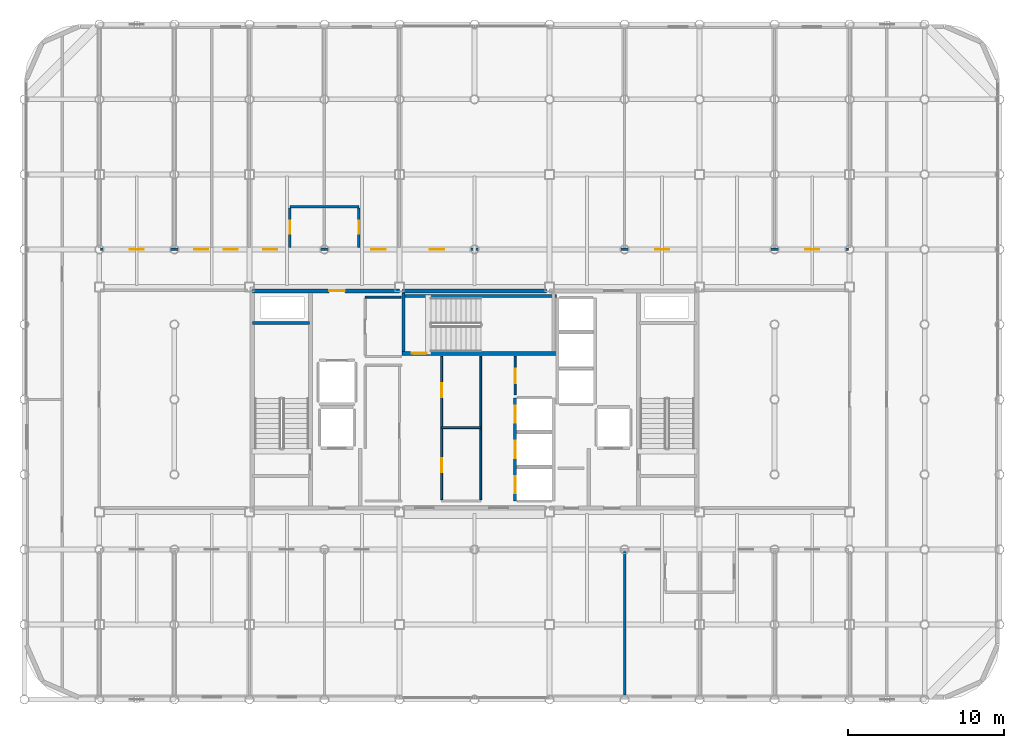
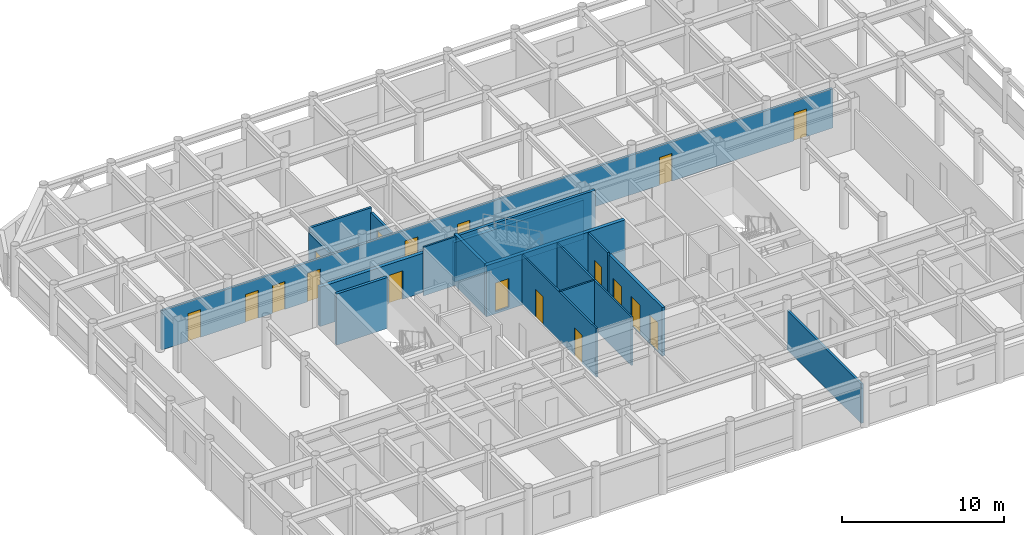
# One storey, part 19 of 22: 18 doors, 17 walls, 18 openings.
"""IFC4 building model written with IfcOpenShell, lengths in metres."""

from ifc_helpers import new_model, si_unit, direction, frame, frame_2d, origin, place, context, subcontext, project, spatial, rectangle, extrude, material, layer, layer_set, type_object, element, fill, save


model = new_model("IFC4")

# Units and contexts
model_context = context("Model", 3, precision=1e-05, world=origin(), true_north=direction((0.0, 1.0)))
body_context = subcontext(model_context, "Body", "Model", "MODEL_VIEW")
ifc_project = project(units=[si_unit("LENGTHUNIT", "METRE"), si_unit("AREAUNIT", "SQUARE_METRE"), si_unit("VOLUMEUNIT", "CUBIC_METRE"), si_unit("PLANEANGLEUNIT", "RADIAN"), si_unit("MASSUNIT", "GRAM", prefix="KILO")], contexts=[model_context])

# Site, building, storey
site_placement = place(None, origin())
site = spatial("IfcSite", under=ifc_project, at=site_placement, CompositionType="ELEMENT")
building_placement = place(site_placement, origin())
building = spatial("IfcBuilding", under=site, at=building_placement, Name="Kallvorn Hotel Tower", CompositionType="ELEMENT")
storey_placement = place(building_placement, frame((0.0, 0.0, 226.14990234375)))
storey = spatial("IfcBuildingStorey", under=building, at=storey_placement, Name="L56", CompositionType="ELEMENT", Elevation=226.14990234375)

# Wall, openings, doors
ifc_material_1 = material(Name="Fire-rated double-layer acoustic gypsum drywall EI 60")
ifc_layer_1 = layer(ifc_material_1, 0.159912109375)
ifc_layer_set_1 = layer_set([ifc_layer_1], Name="WL_DEMISE_160")
wall_type_1 = type_object("IfcWallType", Name="WL_DEMISE_160", PredefinedType="PARTITIONING", material=ifc_layer_set_1)
wall_1_placement = place(storey_placement, frame((-23.919921875, 9.60009765625, 0.0), z_axis=(0.0, 0.0, 1.0), x_axis=(1.0, 0.0, 0.0)))
wall_1 = element("IfcWall", 1, at=wall_1_placement, inside=storey, type_object=wall_type_1, Name="L56 Suite 5603 Standard Twin Room Partition", PredefinedType="PARTITIONING", context=body_context, shape_type="SweptSolid", body=[
    extrude(rectangle(XDim=47.83984375, YDim=0.159912109375, at=frame_2d((23.919921875, 0.0))), origin(), (0.0, 0.0, 1.0), 2.97021484375),
])
opening_1_placement = place(wall_1_placement, frame((1.8701171875, 0.0, 0.0)))
opening_1 = element("IfcOpeningElement", 2, at=opening_1_placement, cuts=wall_1, Name="Opening SVD1", PredefinedType="OPENING", context=body_context, shape_type="SweptSolid", body=[
    extrude(rectangle(XDim=0.89990234375, YDim=2.10009765625, at=frame_2d((0.449951171875, 1.050048828125))), frame((0.0, 0.094970703125, 0.0), z_axis=(0.0, -1.0, 0.0), x_axis=(1.0, 0.0, 0.0)), (0.0, 0.0, 1.0), 0.18994140625),
])
opening_2_placement = place(wall_1_placement, frame((45.070068359375, 0.0, 0.0)))
opening_2 = element("IfcOpeningElement", 3, at=opening_2_placement, cuts=wall_1, Name="Opening SVD1", PredefinedType="OPENING", context=body_context, shape_type="SweptSolid", body=[
    extrude(rectangle(XDim=0.89990234375, YDim=2.10009765625, at=frame_2d((0.449951171875, 1.050048828125))), frame((0.0, 0.094970703125, 0.0), z_axis=(0.0, -1.0, 0.0), x_axis=(1.0, 0.0, 0.0)), (0.0, 0.0, 1.0), 0.18994140625),
])
opening_3_placement = place(wall_1_placement, frame((5.97998046875, 0.0, 0.0)))
opening_3 = element("IfcOpeningElement", 4, at=opening_3_placement, cuts=wall_1, Name="Opening SVD1", PredefinedType="OPENING", context=body_context, shape_type="SweptSolid", body=[
    extrude(rectangle(XDim=0.89990234375, YDim=2.10009765625, at=frame_2d((0.449951171875, 1.050048828125))), frame((0.0, 0.094970703125, 0.0), z_axis=(0.0, -1.0, 0.0), x_axis=(1.0, 0.0, 0.0)), (0.0, 0.0, 1.0), 0.18994140625),
])
opening_4_placement = place(wall_1_placement, frame((7.8701171875, 0.0, 0.0)))
opening_4 = element("IfcOpeningElement", 5, at=opening_4_placement, cuts=wall_1, Name="Opening SVD1", PredefinedType="OPENING", context=body_context, shape_type="SweptSolid", body=[
    extrude(rectangle(XDim=0.89990234375, YDim=2.10009765625, at=frame_2d((0.449951171875, 1.050048828125))), frame((0.0, 0.094970703125, 0.0), z_axis=(0.0, -1.0, 0.0), x_axis=(1.0, 0.0, 0.0)), (0.0, 0.0, 1.0), 0.18994140625),
])
opening_5_placement = place(wall_1_placement, frame((10.39501953125, 0.0, 0.0)))
opening_5 = element("IfcOpeningElement", 6, at=opening_5_placement, cuts=wall_1, Name="Opening GD1", PredefinedType="OPENING", context=body_context, shape_type="SweptSolid", body=[
    extrude(rectangle(XDim=0.919921875, YDim=2.14990234375, at=frame_2d((0.4599609375, 1.074951171875))), frame((0.0, 0.094970703125, 0.0), z_axis=(0.0, -1.0, 0.0), x_axis=(1.0, 0.0, 0.0)), (0.0, 0.0, 1.0), 0.18994140625),
])
opening_6_placement = place(wall_1_placement, frame((17.324951171875, 0.0, 0.0)))
opening_6 = element("IfcOpeningElement", 7, at=opening_6_placement, cuts=wall_1, Name="Opening GD1", PredefinedType="OPENING", context=body_context, shape_type="SweptSolid", body=[
    extrude(rectangle(XDim=0.919921875, YDim=2.14990234375, at=frame_2d((0.4599609375, 1.074951171875))), frame((0.0, 0.094970703125, 0.0), z_axis=(0.0, -1.0, 0.0), x_axis=(1.0, 0.0, 0.0)), (0.0, 0.0, 1.0), 0.18994140625),
])
opening_7_placement = place(wall_1_placement, frame((21.070068359375, 0.0, 0.0)))
opening_7 = element("IfcOpeningElement", 8, at=opening_7_placement, cuts=wall_1, Name="Opening SVD1", PredefinedType="OPENING", context=body_context, shape_type="SweptSolid", body=[
    extrude(rectangle(XDim=0.89990234375, YDim=2.10009765625, at=frame_2d((0.449951171875, 1.050048828125))), frame((0.0, 0.094970703125, 0.0), z_axis=(0.0, -1.0, 0.0), x_axis=(1.0, 0.0, 0.0)), (0.0, 0.0, 1.0), 0.18994140625),
])
opening_8_placement = place(wall_1_placement, frame((35.469970703125, 0.0, 0.0)))
opening_8 = element("IfcOpeningElement", 9, at=opening_8_placement, cuts=wall_1, Name="Opening SVD1", PredefinedType="OPENING", context=body_context, shape_type="SweptSolid", body=[
    extrude(rectangle(XDim=0.89990234375, YDim=2.10009765625, at=frame_2d((0.449951171875, 1.050048828125))), frame((0.0, 0.094970703125, 0.0), z_axis=(0.0, -1.0, 0.0), x_axis=(1.0, 0.0, 0.0)), (0.0, 0.0, 1.0), 0.18994140625),
])
ifc_material_2 = material(Name="Solid-core walnut veneer fire-rated timber door leaf", Category="wood")
door_type_1 = type_object("IfcDoorType", Name="DR_GUEST_920x2150", OperationType="NOTDEFINED", PredefinedType="DOOR", material=ifc_material_2)
door_1_placement = place(opening_5_placement, origin())
door_1 = element("IfcDoor", 10, at=door_1_placement, inside=storey, type_object=door_type_1, Name="L56 Suite 5603 Standard Twin Room Door", OperationType="SINGLE_SWING_LEFT", OverallHeight=2.14990234375, OverallWidth=0.919921875, PredefinedType="DOOR", context=body_context, shape_type="SweptSolid", body=[
    extrude(rectangle(XDim=0.919921875, YDim=2.14990234375, at=frame_2d((0.4599609375, 1.074951171875))), frame((0.0, 0.02490234375, 0.0), z_axis=(0.0, -1.0, 0.0), x_axis=(1.0, 0.0, 0.0)), (0.0, 0.0, 1.0), 0.050048828125),
])
fill(opening_5, door_1)
door_2_placement = place(opening_6_placement, origin())
door_2 = element("IfcDoor", 11, at=door_2_placement, inside=storey, type_object=door_type_1, Name="L56 Suite 5604 Standard Twin Room Door", OperationType="SINGLE_SWING_RIGHT", OverallHeight=2.14990234375, OverallWidth=0.919921875, PredefinedType="DOOR", context=body_context, shape_type="SweptSolid", body=[
    extrude(rectangle(XDim=0.919921875, YDim=2.14990234375, at=frame_2d((0.4599609375, 1.074951171875))), frame((0.0, 0.02490234375, 0.0), z_axis=(0.0, -1.0, 0.0), x_axis=(1.0, 0.0, 0.0)), (0.0, 0.0, 1.0), 0.050048828125),
])
fill(opening_6, door_2)
ifc_material_3 = material(Name="Galvanised painted steel fire-rated door assembly", Category="steel")
door_type_2 = type_object("IfcDoorType", Name="DR_SERV_900x2100", OperationType="NOTDEFINED", PredefinedType="DOOR", material=ifc_material_3)
door_3_placement = place(opening_1_placement, origin())
door_3 = element("IfcDoor", 12, at=door_3_placement, inside=storey, type_object=door_type_2, Name="L56 L56 High-Zone North-West Reading Salon Door", OperationType="SINGLE_SWING_LEFT", OverallHeight=2.10009765625, OverallWidth=0.89990234375, PredefinedType="DOOR", context=body_context, shape_type="SweptSolid", body=[
    extrude(rectangle(XDim=0.89990234375, YDim=2.10009765625, at=frame_2d((0.449951171875, 1.050048828125))), frame((0.0, 0.02490234375, 0.0), z_axis=(0.0, -1.0, 0.0), x_axis=(1.0, 0.0, 0.0)), (0.0, 0.0, 1.0), 0.050048828125),
])
fill(opening_1, door_3)
door_4_placement = place(opening_2_placement, origin())
door_4 = element("IfcDoor", 13, at=door_4_placement, inside=storey, type_object=door_type_2, Name="L56 L56 High-Zone North-East Pastry Bar Door", OperationType="SINGLE_SWING_LEFT", OverallHeight=2.10009765625, OverallWidth=0.89990234375, PredefinedType="DOOR", context=body_context, shape_type="SweptSolid", body=[
    extrude(rectangle(XDim=0.89990234375, YDim=2.10009765625, at=frame_2d((0.449951171875, 1.050048828125))), frame((0.0, 0.02490234375, 0.0), z_axis=(0.0, -1.0, 0.0), x_axis=(1.0, 0.0, 0.0)), (0.0, 0.0, 1.0), 0.050048828125),
])
fill(opening_2, door_4)
door_5_placement = place(opening_3_placement, origin())
door_5 = element("IfcDoor", 14, at=door_5_placement, inside=storey, type_object=door_type_2, Name="L56 Housekeeping and Linen Room Door", OperationType="SINGLE_SWING_RIGHT", OverallHeight=2.10009765625, OverallWidth=0.89990234375, PredefinedType="DOOR", context=body_context, shape_type="SweptSolid", body=[
    extrude(rectangle(XDim=0.89990234375, YDim=2.10009765625, at=frame_2d((0.449951171875, 1.050048828125))), frame((0.0, 0.02490234375, 0.0), z_axis=(0.0, -1.0, 0.0), x_axis=(1.0, 0.0, 0.0)), (0.0, 0.0, 1.0), 0.050048828125),
])
fill(opening_3, door_5)
door_6_placement = place(opening_4_placement, origin())
door_6 = element("IfcDoor", 15, at=door_6_placement, inside=storey, type_object=door_type_2, Name="L56 Guest Tea and Refreshment Bar Door", OperationType="SINGLE_SWING_RIGHT", OverallHeight=2.10009765625, OverallWidth=0.89990234375, PredefinedType="DOOR", context=body_context, shape_type="SweptSolid", body=[
    extrude(rectangle(XDim=0.89990234375, YDim=2.10009765625, at=frame_2d((0.449951171875, 1.050048828125))), frame((0.0, 0.02490234375, 0.0), z_axis=(0.0, -1.0, 0.0), x_axis=(1.0, 0.0, 0.0)), (0.0, 0.0, 1.0), 0.050048828125),
])
fill(opening_4, door_6)
door_7_placement = place(opening_7_placement, origin())
door_7 = element("IfcDoor", 16, at=door_7_placement, inside=storey, type_object=door_type_2, Name="L56 L56 Executive Co-Working Open-Plan Office 4 Door", OperationType="SINGLE_SWING_LEFT", OverallHeight=2.10009765625, OverallWidth=0.89990234375, PredefinedType="DOOR", context=body_context, shape_type="SweptSolid", body=[
    extrude(rectangle(XDim=0.89990234375, YDim=2.10009765625, at=frame_2d((0.449951171875, 1.050048828125))), frame((0.0, 0.02490234375, 0.0), z_axis=(0.0, -1.0, 0.0), x_axis=(1.0, 0.0, 0.0)), (0.0, 0.0, 1.0), 0.050048828125),
])
fill(opening_7, door_7)
door_8_placement = place(opening_8_placement, origin())
door_8 = element("IfcDoor", 17, at=door_8_placement, inside=storey, type_object=door_type_2, Name="L56 L56 Andean Tasting Sky Restaurant 5 Door", OperationType="SINGLE_SWING_LEFT", OverallHeight=2.10009765625, OverallWidth=0.89990234375, PredefinedType="DOOR", context=body_context, shape_type="SweptSolid", body=[
    extrude(rectangle(XDim=0.89990234375, YDim=2.10009765625, at=frame_2d((0.449951171875, 1.050048828125))), frame((0.0, 0.02490234375, 0.0), z_axis=(0.0, -1.0, 0.0), x_axis=(1.0, 0.0, 0.0)), (0.0, 0.0, 1.0), 0.050048828125),
])
fill(opening_8, door_8)

# Wall
wall_2_placement = place(storey_placement, frame((-11.81005859375, 12.320068359375, 0.0), z_axis=(0.0, 0.0, 1.0), x_axis=(1.0, 0.0, 0.0)))
element("IfcWall", 18, at=wall_2_placement, inside=storey, type_object=wall_type_1, Name="L56 Suite 5603 Standard Twin Room Partition", PredefinedType="PARTITIONING", context=body_context, shape_type="SweptSolid", body=[
    extrude(rectangle(XDim=4.420166015625, YDim=0.159912109375, at=frame_2d((2.2099609375, 0.0))), origin(), (0.0, 0.0, 1.0), 3.31005859375),
])

# Wall, opening, door
wall_3_placement = place(storey_placement, frame((-11.81005859375, 9.719970703125, 0.0), z_axis=(0.0, 0.0, 1.0), x_axis=(0.0, 1.0, 0.0)))
wall_3 = element("IfcWall", 19, at=wall_3_placement, inside=storey, type_object=wall_type_1, Name="L56 Suite 5603 Standard Twin Room Partition", PredefinedType="PARTITIONING", context=body_context, shape_type="SweptSolid", body=[
    extrude(rectangle(XDim=2.51513671875, YDim=0.159912109375, at=frame_2d((1.257568359375, 0.0))), origin(), (0.0, 0.0, 1.0), 2.97021484375),
])
opening_9_placement = place(wall_3_placement, frame((0.8701171875, 0.0, 0.0)))
opening_9 = element("IfcOpeningElement", 20, at=opening_9_placement, cuts=wall_3, Name="Opening BD-I", PredefinedType="OPENING", context=body_context, shape_type="SweptSolid", body=[
    extrude(rectangle(XDim=0.860107421875, YDim=2.10009765625, at=frame_2d((0.43017578125, 1.050048828125))), frame((0.0, 0.094970703125, 0.0), z_axis=(0.0, -1.0, 0.0), x_axis=(1.0, 0.0, 0.0)), (0.0, 0.0, 1.0), 0.18994140625),
])
ifc_material_4 = material(Name="Solid-core walnut veneer fire-rated timber door leaf", Category="wood")
door_type_3 = type_object("IfcDoorType", Name="DR_BATH_860x2100", OperationType="NOTDEFINED", PredefinedType="DOOR", material=ifc_material_4)
door_9_placement = place(opening_9_placement, origin())
door_9 = element("IfcDoor", 21, at=door_9_placement, inside=storey, type_object=door_type_3, Name="L56 Suite 5603 En-Suite Bathroom Door", OperationType="SINGLE_SWING_LEFT", OverallHeight=2.10009765625, OverallWidth=0.860107421875, PredefinedType="DOOR", context=body_context, shape_type="SweptSolid", body=[
    extrude(rectangle(XDim=0.860107421875, YDim=2.10009765625, at=frame_2d((0.43017578125, 1.050048828125))), frame((0.0, 0.02490234375, 0.0), z_axis=(0.0, -1.0, 0.0), x_axis=(1.0, 0.0, 0.0)), (0.0, 0.0, 1.0), 0.050048828125),
])
fill(opening_9, door_9)

wall_4_placement = place(storey_placement, frame((-7.389892578125, 9.719970703125, 0.0), z_axis=(0.0, 0.0, 1.0), x_axis=(0.0, 1.0, 0.0)))
wall_4 = element("IfcWall", 22, at=wall_4_placement, inside=storey, type_object=wall_type_1, Name="L56 Suite 5604 Standard Twin Room Partition", PredefinedType="PARTITIONING", context=body_context, shape_type="SweptSolid", body=[
    extrude(rectangle(XDim=2.51513671875, YDim=0.159912109375, at=frame_2d((1.257568359375, 0.0))), origin(), (0.0, 0.0, 1.0), 2.97021484375),
])
opening_10_placement = place(wall_4_placement, frame((0.8701171875, 0.0, 0.0)))
opening_10 = element("IfcOpeningElement", 23, at=opening_10_placement, cuts=wall_4, Name="Opening BD-I", PredefinedType="OPENING", context=body_context, shape_type="SweptSolid", body=[
    extrude(rectangle(XDim=0.860107421875, YDim=2.10009765625, at=frame_2d((0.43017578125, 1.050048828125))), frame((0.0, 0.094970703125, 0.0), z_axis=(0.0, -1.0, 0.0), x_axis=(1.0, 0.0, 0.0)), (0.0, 0.0, 1.0), 0.18994140625),
])
door_10_placement = place(opening_10_placement, origin())
door_10 = element("IfcDoor", 24, at=door_10_placement, inside=storey, type_object=door_type_3, Name="L56 Suite 5604 En-Suite Bathroom Door", OperationType="SINGLE_SWING_LEFT", OverallHeight=2.10009765625, OverallWidth=0.860107421875, PredefinedType="DOOR", context=body_context, shape_type="SweptSolid", body=[
    extrude(rectangle(XDim=0.860107421875, YDim=2.10009765625, at=frame_2d((0.43017578125, 1.050048828125))), frame((0.0, 0.02490234375, 0.0), z_axis=(0.0, -1.0, 0.0), x_axis=(1.0, 0.0, 0.0)), (0.0, 0.0, 1.0), 0.050048828125),
])
fill(opening_10, door_10)

# Walls
wall_5_placement = place(storey_placement, frame((9.60009765625, -18.909912109375, 0.0), z_axis=(0.0, 0.0, 1.0), x_axis=(0.0, 1.0, 0.0)))
element("IfcWall", 25, at=wall_5_placement, inside=storey, type_object=wall_type_1, Name="L56 Suite 5601 Superior Twin Room Partition", PredefinedType="PARTITIONING", context=body_context, shape_type="SweptSolid", body=[
    extrude(rectangle(XDim=9.18994140625, YDim=0.159912109375, at=frame_2d((4.594970703125, 0.0))), origin(), (0.0, 0.0, 1.0), 2.97021484375),
])
ifc_material_5 = material(Name="Concrete C40/50", Category="concrete")
ifc_layer_2 = layer(ifc_material_5, 0.199951171875)
ifc_layer_set_2 = layer_set([ifc_layer_2], Name="WL_HOIST_200")
wall_type_2 = type_object("IfcWallType", Name="WL_HOIST_200", PredefinedType="SOLIDWALL", material=ifc_layer_set_2)
wall_6_placement = place(storey_placement, frame((-14.199951171875, 4.89990234375, -0.179931640625), z_axis=(0.0, 0.0, 1.0), x_axis=(1.0, 0.0, 0.0)))
element("IfcWall", 26, at=wall_6_placement, inside=storey, type_object=wall_type_2, Name="L56 Stair ST1 North Wall", PredefinedType="SOLIDWALL", context=body_context, shape_type="SweptSolid", body=[
    extrude(rectangle(XDim=3.64990234375, YDim=0.199951171875, at=frame_2d((1.824951171875, 0.0))), origin(), (0.0, 0.0, 1.0), 3.85009765625),
])
wall_7_placement = place(storey_placement, frame((-4.64990234375, 6.610107421875, -0.179931640625), z_axis=(0.0, 0.0, 1.0), x_axis=(1.0, 0.0, 0.0)))
element("IfcWall", 27, at=wall_7_placement, inside=storey, type_object=wall_type_2, Name="L56 Stair ST3 Shaft North Wall", PredefinedType="SOLIDWALL", context=body_context, shape_type="SweptSolid", body=[
    extrude(rectangle(XDim=9.89990234375, YDim=0.199951171875, at=frame_2d((4.949951171875, 0.0))), origin(), (0.0, 0.0, 1.0), 3.85009765625),
])
wall_8_placement = place(storey_placement, frame((-4.550048828125, 3.080078125, -0.179931640625), z_axis=(0.0, 0.0, 1.0), x_axis=(0.0, 1.0, 0.0)))
element("IfcWall", 28, at=wall_8_placement, inside=storey, type_object=wall_type_2, Name="L56 Stair ST3 West Wall", PredefinedType="SOLIDWALL", context=body_context, shape_type="SweptSolid", body=[
    extrude(rectangle(XDim=3.739990234375, YDim=0.199951171875, at=frame_2d((1.8701171875, 0.0))), origin(), (0.0, 0.0, 1.0), 3.85009765625),
])

# Wall, openings, doors
wall_9_placement = place(storey_placement, frame((2.60009765625, -6.5, 0.0), z_axis=(0.0, 0.0, 1.0), x_axis=(0.0, 1.0, 0.0)))
wall_9 = element("IfcWall", 29, at=wall_9_placement, inside=storey, type_object=wall_type_2, Name="L56 Lift Bank B3A Landing Wall", PredefinedType="SOLIDWALL", context=body_context, shape_type="SweptSolid", body=[
    extrude(rectangle(XDim=6.60009765625, YDim=0.199951171875, at=frame_2d((3.300048828125, 0.0))), origin(), (0.0, 0.0, 1.0), 3.670166015625),
])
opening_11_placement = place(wall_9_placement, frame((0.5, 0.0, 0.0)))
opening_11 = element("IfcOpeningElement", 30, at=opening_11_placement, cuts=wall_9, Name="Opening LD-PL-09", PredefinedType="OPENING", context=body_context, shape_type="SweptSolid", body=[
    extrude(rectangle(XDim=1.10009765625, YDim=2.199951171875, at=frame_2d((0.550048828125, 1.10009765625))), frame((0.0, 0.114990234375, 0.0), z_axis=(0.0, -1.0, 0.0), x_axis=(1.0, 0.0, 0.0)), (0.0, 0.0, 1.0), 0.22998046875),
])
opening_12_placement = place(wall_9_placement, frame((2.75, 0.0, 0.0)))
opening_12 = element("IfcOpeningElement", 31, at=opening_12_placement, cuts=wall_9, Name="Opening LD-PL-10", PredefinedType="OPENING", context=body_context, shape_type="SweptSolid", body=[
    extrude(rectangle(XDim=1.10009765625, YDim=2.199951171875, at=frame_2d((0.550048828125, 1.10009765625))), frame((0.0, 0.114990234375, 0.0), z_axis=(0.0, -1.0, 0.0), x_axis=(1.0, 0.0, 0.0)), (0.0, 0.0, 1.0), 0.22998046875),
])
opening_13_placement = place(wall_9_placement, frame((5.0, 0.0, 0.0)))
opening_13 = element("IfcOpeningElement", 32, at=opening_13_placement, cuts=wall_9, Name="Opening LD-PL-11", PredefinedType="OPENING", context=body_context, shape_type="SweptSolid", body=[
    extrude(rectangle(XDim=1.10009765625, YDim=2.199951171875, at=frame_2d((0.550048828125, 1.10009765625))), frame((0.0, 0.114990234375, 0.0), z_axis=(0.0, -1.0, 0.0), x_axis=(1.0, 0.0, 0.0)), (0.0, 0.0, 1.0), 0.22998046875),
])
ifc_material_6 = material(Name="Brushed stainless-steel automatic sliding lift landing door", Category="steel")
door_type_4 = type_object("IfcDoorType", Name="LD_PASS_1100x2200", OperationType="SLIDING_TO_LEFT", PredefinedType="DOOR", material=ifc_material_6)
door_11_placement = place(opening_11_placement, origin())
door_11 = element("IfcDoor", 33, at=door_11_placement, inside=storey, type_object=door_type_4, Name="L56 Lift Landing Sliding Door LD-PL-09", OperationType="SLIDING_TO_LEFT", OverallHeight=2.199951171875, OverallWidth=1.10009765625, PredefinedType="DOOR", context=body_context, shape_type="SweptSolid", body=[
    extrude(rectangle(XDim=1.10009765625, YDim=2.199951171875, at=frame_2d((0.550048828125, 1.10009765625))), frame((0.0, 0.02490234375, 0.0), z_axis=(0.0, -1.0, 0.0), x_axis=(1.0, 0.0, 0.0)), (0.0, 0.0, 1.0), 0.050048828125),
])
fill(opening_11, door_11)
door_12_placement = place(opening_12_placement, origin())
door_12 = element("IfcDoor", 34, at=door_12_placement, inside=storey, type_object=door_type_4, Name="L56 Lift Landing Sliding Door LD-PL-10", OperationType="SLIDING_TO_LEFT", OverallHeight=2.199951171875, OverallWidth=1.10009765625, PredefinedType="DOOR", context=body_context, shape_type="SweptSolid", body=[
    extrude(rectangle(XDim=1.10009765625, YDim=2.199951171875, at=frame_2d((0.550048828125, 1.10009765625))), frame((0.0, 0.02490234375, 0.0), z_axis=(0.0, -1.0, 0.0), x_axis=(1.0, 0.0, 0.0)), (0.0, 0.0, 1.0), 0.050048828125),
])
fill(opening_12, door_12)
door_13_placement = place(opening_13_placement, origin())
door_13 = element("IfcDoor", 35, at=door_13_placement, inside=storey, type_object=door_type_4, Name="L56 Lift Landing Sliding Door LD-PL-11", OperationType="SLIDING_TO_LEFT", OverallHeight=2.199951171875, OverallWidth=1.10009765625, PredefinedType="DOOR", context=body_context, shape_type="SweptSolid", body=[
    extrude(rectangle(XDim=1.10009765625, YDim=2.199951171875, at=frame_2d((0.550048828125, 1.10009765625))), frame((0.0, 0.02490234375, 0.0), z_axis=(0.0, -1.0, 0.0), x_axis=(1.0, 0.0, 0.0)), (0.0, 0.0, 1.0), 0.050048828125),
])
fill(opening_13, door_13)

# Walls
ifc_material_7 = material(Name="Fire-rated double-layer acoustic gypsum drywall EI 60")
ifc_layer_3 = layer(ifc_material_7, 0.1201171875)
ifc_layer_set_3 = layer_set([ifc_layer_3], Name="WL_INT_120")
wall_type_3 = type_object("IfcWallType", Name="WL_INT_120", PredefinedType="PARTITIONING", material=ifc_layer_set_3)
wall_10_placement = place(storey_placement, frame((-2.10009765625, -1.800048828125, 0.0), z_axis=(0.0, 0.0, 1.0), x_axis=(1.0, 0.0, 0.0)))
element("IfcWall", 36, at=wall_10_placement, inside=storey, type_object=wall_type_3, Name="L56 High-Zone Housekeeping Reserve Store Partition", PredefinedType="PARTITIONING", context=body_context, shape_type="SweptSolid", body=[
    extrude(rectangle(XDim=2.5, YDim=0.1201171875, at=frame_2d((1.25, 0.0))), origin(), (0.0, 0.0, 1.0), 3.670166015625),
])
wall_11_placement = place(storey_placement, frame((-7.0, 6.550048828125, 0.0), z_axis=(0.0, 0.0, 1.0), x_axis=(1.0, 0.0, 0.0)))
element("IfcWall", 37, at=wall_11_placement, inside=storey, type_object=wall_type_3, Name="L56 Recaptured Valet and Linen Reserve Store Partition", PredefinedType="PARTITIONING", context=body_context, shape_type="SweptSolid", body=[
    extrude(rectangle(XDim=2.31005859375, YDim=0.1201171875, at=frame_2d((1.155029296875, 0.0))), origin(), (0.0, 0.0, 1.0), 3.670166015625),
])

# Wall, openings, doors
wall_12_placement = place(storey_placement, frame((-2.10009765625, -6.4150390625, 0.0), z_axis=(0.0, 0.0, 1.0), x_axis=(0.0, 1.0, 0.0)))
wall_12 = element("IfcWall", 38, at=wall_12_placement, inside=storey, type_object=wall_type_3, Name="L56 High-Zone Sommelier and Beverage Pantry Partition", PredefinedType="PARTITIONING", context=body_context, shape_type="SweptSolid", body=[
    extrude(rectangle(XDim=9.1650390625, YDim=0.1201171875, at=frame_2d((4.58251953125, 0.0))), origin(), (0.0, 0.0, 1.0), 3.670166015625),
])
opening_14_placement = place(wall_12_placement, frame((1.764892578125, 0.0, 0.0)))
opening_14 = element("IfcOpeningElement", 39, at=opening_14_placement, cuts=wall_12, Name="Opening SVD1", PredefinedType="OPENING", context=body_context, shape_type="SweptSolid", body=[
    extrude(rectangle(XDim=0.89990234375, YDim=2.10009765625, at=frame_2d((0.449951171875, 1.050048828125))), frame((0.0, 0.074951171875, 0.0), z_axis=(0.0, -1.0, 0.0), x_axis=(1.0, 0.0, 0.0)), (0.0, 0.0, 1.0), 0.150146484375),
])
opening_15_placement = place(wall_12_placement, frame((6.56494140625, 0.0, 0.0)))
opening_15 = element("IfcOpeningElement", 40, at=opening_15_placement, cuts=wall_12, Name="Opening SVD1", PredefinedType="OPENING", context=body_context, shape_type="SweptSolid", body=[
    extrude(rectangle(XDim=0.89990234375, YDim=2.10009765625, at=frame_2d((0.449951171875, 1.050048828125))), frame((0.0, 0.074951171875, 0.0), z_axis=(0.0, -1.0, 0.0), x_axis=(1.0, 0.0, 0.0)), (0.0, 0.0, 1.0), 0.150146484375),
])
door_14_placement = place(opening_14_placement, origin())
door_14 = element("IfcDoor", 41, at=door_14_placement, inside=storey, type_object=door_type_2, Name="L56 High-Zone Sommelier and Beverage Pantry Door", OperationType="SINGLE_SWING_LEFT", OverallHeight=2.10009765625, OverallWidth=0.89990234375, PredefinedType="DOOR", context=body_context, shape_type="SweptSolid", body=[
    extrude(rectangle(XDim=0.89990234375, YDim=2.10009765625, at=frame_2d((0.449951171875, 1.050048828125))), frame((0.0, 0.02490234375, 0.0), z_axis=(0.0, -1.0, 0.0), x_axis=(1.0, 0.0, 0.0)), (0.0, 0.0, 1.0), 0.050048828125),
])
fill(opening_14, door_14)
door_15_placement = place(opening_15_placement, origin())
door_15 = element("IfcDoor", 42, at=door_15_placement, inside=storey, type_object=door_type_2, Name="L56 High-Zone Housekeeping Reserve Store Door", OperationType="SINGLE_SWING_RIGHT", OverallHeight=2.10009765625, OverallWidth=0.89990234375, PredefinedType="DOOR", context=body_context, shape_type="SweptSolid", body=[
    extrude(rectangle(XDim=0.89990234375, YDim=2.10009765625, at=frame_2d((0.449951171875, 1.050048828125))), frame((0.0, 0.02490234375, 0.0), z_axis=(0.0, -1.0, 0.0), x_axis=(1.0, 0.0, 0.0)), (0.0, 0.0, 1.0), 0.050048828125),
])
fill(opening_15, door_15)

# Wall
wall_13_placement = place(storey_placement, frame((0.39990234375, -6.4150390625, 0.0), z_axis=(0.0, 0.0, 1.0), x_axis=(0.0, 1.0, 0.0)))
element("IfcWall", 43, at=wall_13_placement, inside=storey, type_object=wall_type_3, Name="L56 High-Zone Sommelier and Beverage Pantry Partition", PredefinedType="PARTITIONING", context=body_context, shape_type="SweptSolid", body=[
    extrude(rectangle(XDim=9.1650390625, YDim=0.1201171875, at=frame_2d((4.58251953125, 0.0))), origin(), (0.0, 0.0, 1.0), 3.670166015625),
])

# Wall, opening, door
wall_14_placement = place(storey_placement, frame((2.60009765625, 0.300048828125, 0.0), z_axis=(0.0, 0.0, 1.0), x_axis=(0.0, 1.0, 0.0)))
wall_14 = element("IfcWall", 44, at=wall_14_placement, inside=storey, type_object=wall_type_3, Name="L56 East Core Janitor Room Partition", PredefinedType="PARTITIONING", context=body_context, shape_type="SweptSolid", body=[
    extrude(rectangle(XDim=2.449951171875, YDim=0.1201171875, at=frame_2d((1.22509765625, 0.0))), origin(), (0.0, 0.0, 1.0), 3.670166015625),
])
opening_16_placement = place(wall_14_placement, frame((0.75, 0.0, 0.0)))
opening_16 = element("IfcOpeningElement", 45, at=opening_16_placement, cuts=wall_14, Name="Opening SVD1", PredefinedType="OPENING", context=body_context, shape_type="SweptSolid", body=[
    extrude(rectangle(XDim=0.89990234375, YDim=2.10009765625, at=frame_2d((0.449951171875, 1.050048828125))), frame((0.0, 0.074951171875, 0.0), z_axis=(0.0, -1.0, 0.0), x_axis=(1.0, 0.0, 0.0)), (0.0, 0.0, 1.0), 0.150146484375),
])
door_16_placement = place(opening_16_placement, origin())
door_16 = element("IfcDoor", 46, at=door_16_placement, inside=storey, type_object=door_type_2, Name="L56 East Core Janitor Room Door", OperationType="SINGLE_SWING_LEFT", OverallHeight=2.10009765625, OverallWidth=0.89990234375, PredefinedType="DOOR", context=body_context, shape_type="SweptSolid", body=[
    extrude(rectangle(XDim=0.89990234375, YDim=2.10009765625, at=frame_2d((0.449951171875, 1.050048828125))), frame((0.0, 0.02490234375, 0.0), z_axis=(0.0, -1.0, 0.0), x_axis=(1.0, 0.0, 0.0)), (0.0, 0.0, 1.0), 0.050048828125),
])
fill(opening_16, door_16)

ifc_material_8 = material(Name="Concrete C40/50", Category="concrete")
ifc_layer_4 = layer(ifc_material_8, 0.25)
ifc_layer_set_4 = layer_set([ifc_layer_4], Name="WL_SHAFT_250")
wall_type_4 = type_object("IfcWallType", Name="WL_SHAFT_250", PredefinedType="SOLIDWALL", material=ifc_layer_set_4)
wall_15_placement = place(storey_placement, frame((-14.199951171875, 6.949951171875, 0.0), z_axis=(0.0, 0.0, 1.0), x_axis=(1.0, 0.0, 0.0)))
wall_15 = element("IfcWall", 47, at=wall_15_placement, inside=storey, type_object=wall_type_4, Name="L56 Core North-West Wall", PredefinedType="SOLIDWALL", context=body_context, shape_type="SweptSolid", body=[
    extrude(rectangle(XDim=9.39990234375, YDim=0.25, at=frame_2d((4.699951171875, 0.0))), origin(), (0.0, 0.0, 1.0), 2.97021484375),
])
opening_17_placement = place(wall_15_placement, frame((4.89990234375, 0.0, 0.0)))
opening_17 = element("IfcOpeningElement", 48, at=opening_17_placement, cuts=wall_15, Name="Opening FD1", PredefinedType="OPENING", context=body_context, shape_type="SweptSolid", body=[
    extrude(rectangle(XDim=1.0, YDim=2.14990234375, at=frame_2d((0.5, 1.074951171875))), frame((0.0, 0.139892578125, 0.0), z_axis=(0.0, -1.0, 0.0), x_axis=(1.0, 0.0, 0.0)), (0.0, 0.0, 1.0), 0.280029296875),
])
ifc_material_9 = material(Name="Galvanised painted steel fire-rated door assembly", Category="steel")
door_type_5 = type_object("IfcDoorType", Name="DR_FFL_1000x2150", OperationType="NOTDEFINED", PredefinedType="DOOR", material=ifc_material_9)
door_17_placement = place(opening_17_placement, origin())
door_17 = element("IfcDoor", 49, at=door_17_placement, inside=storey, type_object=door_type_5, Name="L56 Service Lift Lobby Door", OperationType="SINGLE_SWING_LEFT", OverallHeight=2.14990234375, OverallWidth=1.0, PredefinedType="DOOR", context=body_context, shape_type="SweptSolid", body=[
    extrude(rectangle(XDim=1.0, YDim=2.14990234375, at=frame_2d((0.5, 1.074951171875))), frame((0.0, 0.02490234375, 0.0), z_axis=(0.0, -1.0, 0.0), x_axis=(1.0, 0.0, 0.0)), (0.0, 0.0, 1.0), 0.050048828125),
])
fill(opening_17, door_17)

# Wall
wall_16_placement = place(storey_placement, frame((-4.60009765625, 6.949951171875, 0.0), z_axis=(0.0, 0.0, 1.0), x_axis=(1.0, 0.0, 0.0)))
element("IfcWall", 50, at=wall_16_placement, inside=storey, type_object=wall_type_4, Name="L56 Core North-Central Wall", PredefinedType="SOLIDWALL", context=body_context, shape_type="SweptSolid", body=[
    extrude(rectangle(XDim=9.2001953125, YDim=0.25, at=frame_2d((4.60009765625, 0.0))), origin(), (0.0, 0.0, 1.0), 2.97021484375),
])

# Wall, opening, door
wall_17_placement = place(storey_placement, frame((-4.64990234375, 2.949951171875, -0.179931640625), z_axis=(0.0, 0.0, 1.0), x_axis=(1.0, 0.0, 0.0)))
wall_17 = element("IfcWall", 51, at=wall_17_placement, inside=storey, type_object=wall_type_4, Name="L56 Stair ST3 Shaft South Wall", PredefinedType="SOLIDWALL", context=body_context, shape_type="SweptSolid", body=[
    extrude(rectangle(XDim=9.89990234375, YDim=0.25, at=frame_2d((4.949951171875, 0.0))), origin(), (0.0, 0.0, 1.0), 3.85009765625),
])
opening_18_placement = place(wall_17_placement, frame((0.64990234375, 0.0, 0.179931640625)))
opening_18 = element("IfcOpeningElement", 52, at=opening_18_placement, cuts=wall_17, Name="Opening SD1", PredefinedType="OPENING", context=body_context, shape_type="SweptSolid", body=[
    extrude(rectangle(XDim=0.949951171875, YDim=2.14990234375, at=frame_2d((0.47509765625, 1.074951171875))), frame((0.0, 0.139892578125, 0.0), z_axis=(0.0, -1.0, 0.0), x_axis=(1.0, 0.0, 0.0)), (0.0, 0.0, 1.0), 0.280029296875),
])
ifc_material_10 = material(Name="Galvanised painted steel fire-rated door assembly", Category="steel")
door_type_6 = type_object("IfcDoorType", Name="DR_STAIR_950x2150", OperationType="NOTDEFINED", PredefinedType="DOOR", material=ifc_material_10)
door_18_placement = place(opening_18_placement, origin())
door_18 = element("IfcDoor", 53, at=door_18_placement, inside=storey, type_object=door_type_6, Name="L56 Exit Stair ST3 Fire Door", OperationType="SINGLE_SWING_LEFT", OverallHeight=2.14990234375, OverallWidth=0.949951171875, PredefinedType="DOOR", context=body_context, shape_type="SweptSolid", body=[
    extrude(rectangle(XDim=0.949951171875, YDim=2.14990234375, at=frame_2d((0.47509765625, 1.074951171875))), frame((0.0, 0.02490234375, 0.0), z_axis=(0.0, -1.0, 0.0), x_axis=(1.0, 0.0, 0.0)), (0.0, 0.0, 1.0), 0.050048828125),
])
fill(opening_18, door_18)

save(model, "model.ifc")
